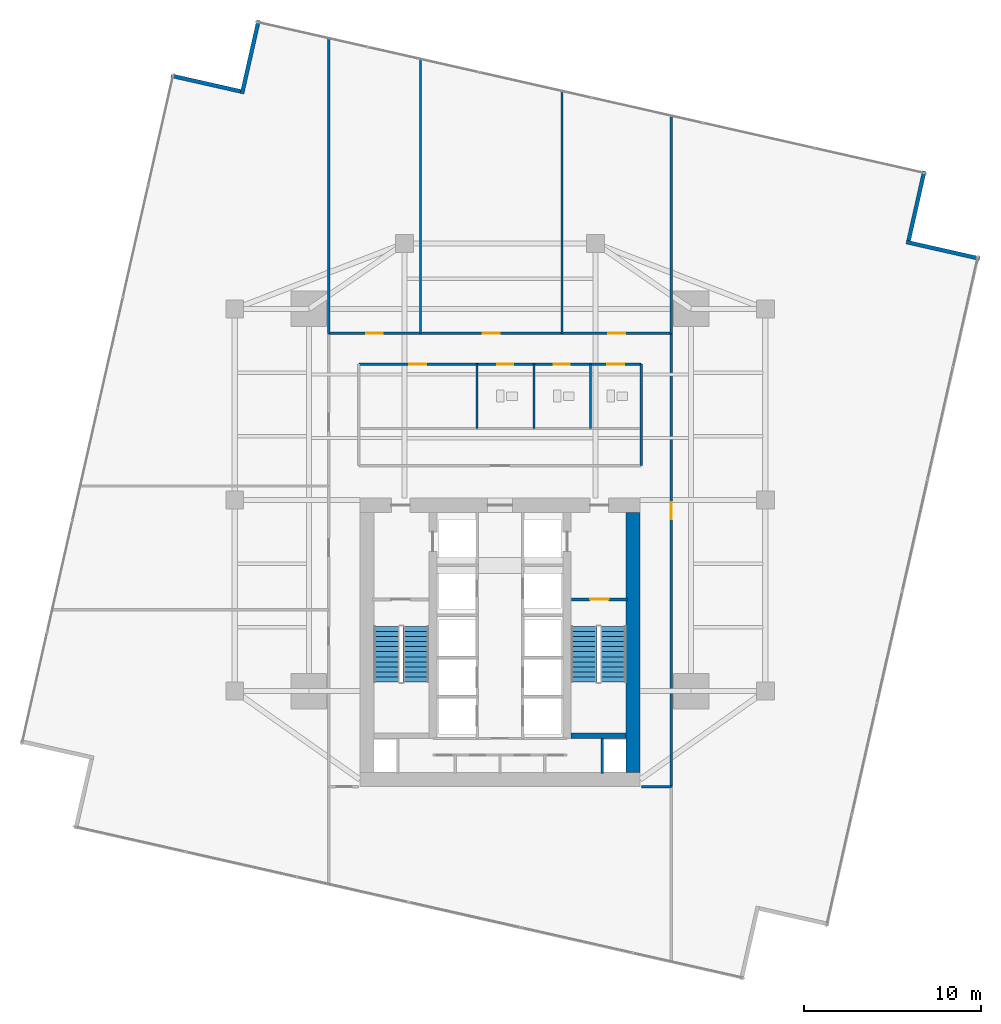
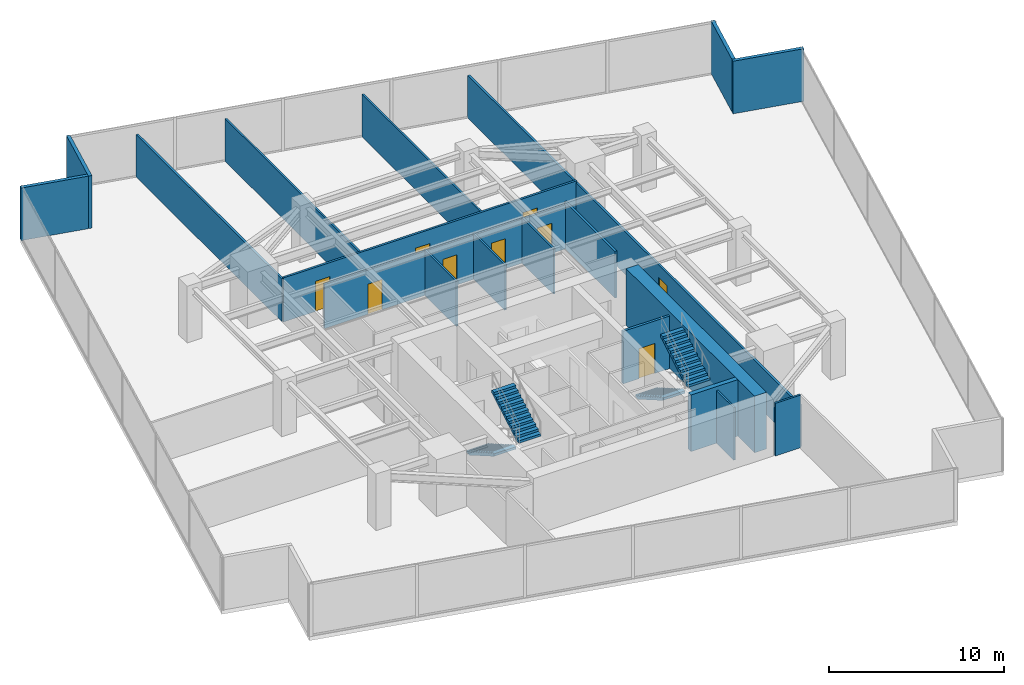
# One storey, part 24 of 26: 20 walls, 9 doors, 4 stair flights, 9 openings, 2 elements without a shape of their own.
"""IFC4 building model written with IfcOpenShell, lengths in metres."""

from ifc_helpers import new_model, si_unit, direction, frame, frame_2d, origin, place, context, subcontext, project, spatial, polyline, rectangle, outline, extrude, material, layer, layer_set, type_object, element, fill, aggregate, save


model = new_model("IFC4")

# Units and contexts
model_context = context("Model", 3, precision=1e-05, world=origin(), true_north=direction((0.0, 1.0)))
body_context = subcontext(model_context, "Body", "Model", "MODEL_VIEW")
ifc_project = project(units=[si_unit("LENGTHUNIT", "METRE"), si_unit("AREAUNIT", "SQUARE_METRE"), si_unit("VOLUMEUNIT", "CUBIC_METRE"), si_unit("PLANEANGLEUNIT", "RADIAN"), si_unit("MASSUNIT", "GRAM", prefix="KILO")], contexts=[model_context])

# Site, building, storey
site_placement = place(None, origin())
site = spatial("IfcSite", under=ifc_project, at=site_placement, CompositionType="ELEMENT")
building_placement = place(site_placement, origin())
building = spatial("IfcBuilding", under=site, at=building_placement, Name="Krantzveldt Concourse Tower", CompositionType="ELEMENT")
storey_placement = place(building_placement, frame((0.0, 0.0, 94.0)))
storey = spatial("IfcBuildingStorey", under=building, at=storey_placement, Name="L22", CompositionType="ELEMENT", Elevation=94.0)

# Walls
ifc_material_1 = material(Name="Anodised aluminium 6063-T6", Category="aluminium")
ifc_layer_1 = layer(ifc_material_1, 0.219970703125, Name="Anodised aluminium 6063-T6", Category="aluminium")
ifc_layer_set_1 = layer_set([ifc_layer_1], Name="Anodised aluminium 6063-T6 (WL-EXT-NOTCH220)")
wall_type_1 = type_object("IfcWallType", Name="WL-EXT-NOTCH220", PredefinedType="ELEMENTEDWALL", material=ifc_layer_set_1)
wall_1_placement = place(storey_placement, frame((21.335693359375, 49.7958984375, 0.0), z_axis=(0.0, 0.0, 1.0), x_axis=(-0.975349272951, 0.2206667074, 0.0)))
element("IfcWall", 1, at=wall_1_placement, inside=storey, type_object=wall_type_1, Name="EW-L22-NCH00", PredefinedType="ELEMENTEDWALL", context=body_context, shape_type="SweptSolid", body=[
    extrude(rectangle(XDim=4.02490234375, YDim=0.219970703125, at=frame_2d((2.012451171875, 0.0))), origin(), (0.0, 0.0, 1.0), 3.669921875),
])
wall_2_placement = place(storey_placement, frame((63.104736328125, 40.344482421875, 0.0), z_axis=(0.0, 0.0, 1.0), x_axis=(-0.975335262593, 0.220728624202, 0.0)))
element("IfcWall", 2, at=wall_2_placement, inside=storey, type_object=wall_type_1, Name="EW-L22-NCH08", PredefinedType="ELEMENTEDWALL", context=body_context, shape_type="SweptSolid", body=[
    extrude(rectangle(XDim=4.2451171875, YDim=0.219970703125, at=frame_2d((2.12255859375, 0.0))), origin(), (0.0, 0.0, 1.0), 3.669921875),
])
wall_3_placement = place(storey_placement, frame((59.095947265625, 41.364501953125, 0.0), z_axis=(0.0, 0.0, 1.0), x_axis=(0.220679762979, 0.975346319115, 0.0)))
element("IfcWall", 3, at=wall_3_placement, inside=storey, type_object=wall_type_1, Name="EW-L22-NCH09", PredefinedType="ELEMENTEDWALL", context=body_context, shape_type="SweptSolid", body=[
    extrude(rectangle(XDim=4.024658203125, YDim=0.219970703125, at=frame_2d((2.01220703125, 0.0))), origin(), (0.0, 0.0, 1.0), 3.669921875),
])
wall_4_placement = place(storey_placement, frame((22.35546875, 53.8046875, 0.0), z_axis=(0.0, 0.0, 1.0), x_axis=(-0.220673913812, -0.975347642517, 0.0)))
element("IfcWall", 4, at=wall_4_placement, inside=storey, type_object=wall_type_1, Name="EW-L22-NCH11", PredefinedType="ELEMENTEDWALL", context=body_context, shape_type="SweptSolid", body=[
    extrude(rectangle(XDim=4.2451171875, YDim=0.219970703125, at=frame_2d((2.12255859375, 0.0))), origin(), (0.0, 0.0, 1.0), 3.669921875),
])
ifc_material_2 = material(Name="Fire-rated gypsum plasterboard on steel stud", Category="steel")
ifc_layer_2 = layer(ifc_material_2, 0.1201171875, Name="Fire-rated gypsum plasterboard on steel stud", Category="steel")
ifc_layer_set_2 = layer_set([ifc_layer_2], Name="Fire-rated gypsum plasterboard on steel stud (WL-PART-120)")
wall_type_2 = type_object("IfcWallType", Name="WL-PART-120", PredefinedType="PARTITIONING", material=ifc_layer_set_2)
for number, where, z_axis, x_axis, name in (
    (5, (37.919921875, 30.739990234375, 0.0), (0.0, 0.0, 1.0), (0.0, 1.0, 0.0), "WP-L22-WCD1"),
    (6, (41.1201171875, 30.739990234375, 0.0), (0.0, 0.0, 1.0), (0.0, 1.0, 0.0), "WP-L22-WCD2"),
    (7, (34.699951171875, 30.739990234375, 0.0), (0.0, 0.0, 1.0), (0.0, 1.0, 0.0), "WP-L22-WCD3"),
):
    element("IfcWall", number, at=place(storey_placement, frame(where, z_axis=z_axis, x_axis=x_axis)), inside=storey, type_object=wall_type_2, Name=name, PredefinedType="PARTITIONING", context=body_context, shape_type="SweptSolid", body=[
        extrude(rectangle(XDim=3.639892578125, YDim=0.1201171875, at=frame_2d((1.81982421875, 0.0))), origin(), (0.0, 0.0, 1.0), 3.169921875),
    ])
wall_5_placement = place(storey_placement, frame((31.5, 36.1201171875, 0.0), z_axis=(0.0, 0.0, 1.0), x_axis=(0.0, 1.0, 0.0)))
element("IfcWall", 8, at=wall_5_placement, inside=storey, type_object=wall_type_2, Name="WP-L22-ND1", PredefinedType="PARTITIONING", context=body_context, shape_type="SweptSolid", body=[
    extrude(rectangle(XDim=15.497314453125, YDim=0.1201171875, at=frame_2d((7.74853515625, 0.0))), origin(), (0.0, 0.0, 1.0), 2.969970703125),
])
wall_6_placement = place(storey_placement, frame((39.5, 36.1201171875, 0.0), z_axis=(0.0, 0.0, 1.0), x_axis=(0.0, 1.0, 0.0)))
element("IfcWall", 9, at=wall_6_placement, inside=storey, type_object=wall_type_2, Name="WP-L22-ND2", PredefinedType="PARTITIONING", context=body_context, shape_type="SweptSolid", body=[
    extrude(rectangle(XDim=13.687255859375, YDim=0.1201171875, at=frame_2d((6.84375, 0.0))), origin(), (0.0, 0.0, 1.0), 2.969970703125),
])

# Wall, openings, doors
ifc_layer_3 = layer(ifc_material_2, 0.139892578125, Name="Fire-rated gypsum plasterboard on steel stud", Category="steel")
ifc_layer_set_3 = layer_set([ifc_layer_3], Name="Fire-rated gypsum plasterboard on steel stud (WL-PART-140)")
wall_type_3 = type_object("IfcWallType", Name="WL-PART-140", PredefinedType="PARTITIONING", material=ifc_layer_set_3)
wall_7_placement = place(storey_placement, frame((28.02001953125, 34.3798828125, 0.0), z_axis=(0.0, 0.0, 1.0), x_axis=(1.0, 0.0, 0.0)))
wall_7 = element("IfcWall", 10, at=wall_7_placement, inside=storey, type_object=wall_type_3, Name="WP-L22-ISLN", PredefinedType="PARTITIONING", context=body_context, shape_type="SweptSolid", body=[
    extrude(rectangle(XDim=15.9599609375, YDim=0.139892578125, at=frame_2d((7.97998046875, 0.0))), origin(), (0.0, 0.0, 1.0), 3.080078125),
])
opening_1_placement = place(wall_7_placement, frame((7.830078125, 0.0, 0.0)))
opening_1 = element("IfcOpeningElement", 11, at=opening_1_placement, cuts=wall_7, Name="Opening D-IN090", PredefinedType="OPENING", context=body_context, shape_type="SweptSolid", body=[
    extrude(rectangle(XDim=0.89990234375, YDim=2.10009765625, at=frame_2d((0.449951171875, 1.050048828125))), frame((0.0, 0.080078125, 0.0), z_axis=(0.0, -1.0, 0.0), x_axis=(1.0, 0.0, 0.0)), (0.0, 0.0, 1.0), 0.159912109375),
])
opening_2_placement = place(wall_7_placement, frame((11.030029296875, 0.0, 0.0)))
opening_2 = element("IfcOpeningElement", 12, at=opening_2_placement, cuts=wall_7, Name="Opening D-IN090", PredefinedType="OPENING", context=body_context, shape_type="SweptSolid", body=[
    extrude(rectangle(XDim=0.89990234375, YDim=2.10009765625, at=frame_2d((0.449951171875, 1.050048828125))), frame((0.0, 0.080078125, 0.0), z_axis=(0.0, -1.0, 0.0), x_axis=(1.0, 0.0, 0.0)), (0.0, 0.0, 1.0), 0.159912109375),
])
opening_3_placement = place(wall_7_placement, frame((14.054931640625, 0.0, 0.0)))
opening_3 = element("IfcOpeningElement", 13, at=opening_3_placement, cuts=wall_7, Name="Opening D-IN095", PredefinedType="OPENING", context=body_context, shape_type="SweptSolid", body=[
    extrude(rectangle(XDim=0.949951171875, YDim=2.10009765625, at=frame_2d((0.47509765625, 1.050048828125))), frame((0.0, 0.080078125, 0.0), z_axis=(0.0, -1.0, 0.0), x_axis=(1.0, 0.0, 0.0)), (0.0, 0.0, 1.0), 0.159912109375),
])
opening_4_placement = place(wall_7_placement, frame((2.85498046875, 0.0, 0.0)))
opening_4 = element("IfcOpeningElement", 14, at=opening_4_placement, cuts=wall_7, Name="Opening D-IN095", PredefinedType="OPENING", context=body_context, shape_type="SweptSolid", body=[
    extrude(rectangle(XDim=0.949951171875, YDim=2.10009765625, at=frame_2d((0.47509765625, 1.050048828125))), frame((0.0, 0.080078125, 0.0), z_axis=(0.0, -1.0, 0.0), x_axis=(1.0, 0.0, 0.0)), (0.0, 0.0, 1.0), 0.159912109375),
])
ifc_material_3 = material(Name="Hardwood timber", Category="wood")
door_type_1 = type_object("IfcDoorType", Name="DR-INT-900", OperationType="SINGLE_SWING_LEFT", PredefinedType="DOOR", material=ifc_material_3)
door_1_placement = place(opening_1_placement, origin())
door_1 = element("IfcDoor", 15, at=door_1_placement, inside=storey, type_object=door_type_1, Name="DR-L22-WCM", OperationType="SINGLE_SWING_LEFT", OverallHeight=2.10009765625, OverallWidth=0.89990234375, PredefinedType="DOOR", context=body_context, shape_type="SweptSolid", body=[
    extrude(rectangle(XDim=0.89990234375, YDim=2.10009765625, at=frame_2d((0.449951171875, 1.050048828125))), frame((0.0, 0.02490234375, 0.0), z_axis=(0.0, -1.0, 0.0), x_axis=(1.0, 0.0, 0.0)), (0.0, 0.0, 1.0), 0.050048828125),
])
fill(opening_1, door_1)
door_2_placement = place(opening_2_placement, origin())
door_2 = element("IfcDoor", 16, at=door_2_placement, inside=storey, type_object=door_type_1, Name="DR-L22-WCF", OperationType="SINGLE_SWING_RIGHT", OverallHeight=2.10009765625, OverallWidth=0.89990234375, PredefinedType="DOOR", context=body_context, shape_type="SweptSolid", body=[
    extrude(rectangle(XDim=0.89990234375, YDim=2.10009765625, at=frame_2d((0.449951171875, 1.050048828125))), frame((0.0, 0.02490234375, 0.0), z_axis=(0.0, -1.0, 0.0), x_axis=(1.0, 0.0, 0.0)), (0.0, 0.0, 1.0), 0.050048828125),
])
fill(opening_2, door_2)
door_type_2 = type_object("IfcDoorType", Name="DR-INT-950", OperationType="SINGLE_SWING_LEFT", PredefinedType="DOOR", material=ifc_material_3)
door_3_placement = place(opening_3_placement, origin())
door_3 = element("IfcDoor", 17, at=door_3_placement, inside=storey, type_object=door_type_2, Name="DR-L22-WCA", OperationType="SINGLE_SWING_LEFT", OverallHeight=2.10009765625, OverallWidth=0.949951171875, PredefinedType="DOOR", context=body_context, shape_type="SweptSolid", body=[
    extrude(rectangle(XDim=0.949951171875, YDim=2.10009765625, at=frame_2d((0.47509765625, 1.050048828125))), frame((0.0, 0.02490234375, 0.0), z_axis=(0.0, -1.0, 0.0), x_axis=(1.0, 0.0, 0.0)), (0.0, 0.0, 1.0), 0.050048828125),
])
fill(opening_3, door_3)
door_4_placement = place(opening_4_placement, origin())
door_4 = element("IfcDoor", 18, at=door_4_placement, inside=storey, type_object=door_type_2, Name="DR-L22-PNT", OperationType="SINGLE_SWING_RIGHT", OverallHeight=2.10009765625, OverallWidth=0.949951171875, PredefinedType="DOOR", context=body_context, shape_type="SweptSolid", body=[
    extrude(rectangle(XDim=0.949951171875, YDim=2.10009765625, at=frame_2d((0.47509765625, 1.050048828125))), frame((0.0, 0.02490234375, 0.0), z_axis=(0.0, -1.0, 0.0), x_axis=(1.0, 0.0, 0.0)), (0.0, 0.0, 1.0), 0.050048828125),
])
fill(opening_4, door_4)

# Wall
wall_8_placement = place(storey_placement, frame((43.97998046875, 28.639892578125, 0.0), z_axis=(0.0, 0.0, 1.0), x_axis=(0.0, 1.0, 0.0)))
element("IfcWall", 19, at=wall_8_placement, inside=storey, type_object=wall_type_3, Name="WP-L22-ISLE", PredefinedType="PARTITIONING", context=body_context, shape_type="SweptSolid", body=[
    extrude(rectangle(XDim=5.739990234375, YDim=0.139892578125, at=frame_2d((2.8701171875, 0.0))), origin(), (0.0, 0.0, 1.0), 3.27001953125),
])

# Wall, openings, doors
wall_9_placement = place(storey_placement, frame((26.320068359375, 36.1201171875, 0.0), z_axis=(0.0, 0.0, 1.0), x_axis=(1.0, 0.0, 0.0)))
wall_9 = element("IfcWall", 20, at=wall_9_placement, inside=storey, type_object=wall_type_3, Name="WP-L22-CTOP", PredefinedType="PARTITIONING", context=body_context, shape_type="SweptSolid", body=[
    extrude(rectangle(XDim=19.35986328125, YDim=0.139892578125, at=frame_2d((9.679931640625, 0.0))), origin(), (0.0, 0.0, 1.0), 3.080078125),
])
opening_5_placement = place(wall_9_placement, frame((2.114990234375, 0.0, 0.0)))
opening_5 = element("IfcOpeningElement", 21, at=opening_5_placement, cuts=wall_9, Name="Opening D-IN095", PredefinedType="OPENING", context=body_context, shape_type="SweptSolid", body=[
    extrude(rectangle(XDim=0.949951171875, YDim=2.10009765625, at=frame_2d((0.47509765625, 1.050048828125))), frame((0.0, 0.080078125, 0.0), z_axis=(0.0, -1.0, 0.0), x_axis=(1.0, 0.0, 0.0)), (0.0, 0.0, 1.0), 0.159912109375),
])
opening_6_placement = place(wall_9_placement, frame((8.705078125, 0.0, 0.0)))
opening_6 = element("IfcOpeningElement", 22, at=opening_6_placement, cuts=wall_9, Name="Opening D-IN095", PredefinedType="OPENING", context=body_context, shape_type="SweptSolid", body=[
    extrude(rectangle(XDim=0.949951171875, YDim=2.10009765625, at=frame_2d((0.47509765625, 1.050048828125))), frame((0.0, 0.080078125, 0.0), z_axis=(0.0, -1.0, 0.0), x_axis=(1.0, 0.0, 0.0)), (0.0, 0.0, 1.0), 0.159912109375),
])
opening_7_placement = place(wall_9_placement, frame((15.794921875, 0.0, 0.0)))
opening_7 = element("IfcOpeningElement", 23, at=opening_7_placement, cuts=wall_9, Name="Opening D-IN095", PredefinedType="OPENING", context=body_context, shape_type="SweptSolid", body=[
    extrude(rectangle(XDim=0.949951171875, YDim=2.10009765625, at=frame_2d((0.47509765625, 1.050048828125))), frame((0.0, 0.080078125, 0.0), z_axis=(0.0, -1.0, 0.0), x_axis=(1.0, 0.0, 0.0)), (0.0, 0.0, 1.0), 0.159912109375),
])
door_5_placement = place(opening_5_placement, origin())
door_5 = element("IfcDoor", 24, at=door_5_placement, inside=storey, type_object=door_type_2, Name="DR-L22-NR1", OperationType="SINGLE_SWING_LEFT", OverallHeight=2.10009765625, OverallWidth=0.949951171875, PredefinedType="DOOR", context=body_context, shape_type="SweptSolid", body=[
    extrude(rectangle(XDim=0.949951171875, YDim=2.10009765625, at=frame_2d((0.47509765625, 1.050048828125))), frame((0.0, 0.02490234375, 0.0), z_axis=(0.0, -1.0, 0.0), x_axis=(1.0, 0.0, 0.0)), (0.0, 0.0, 1.0), 0.050048828125),
])
fill(opening_5, door_5)
door_6_placement = place(opening_6_placement, origin())
door_6 = element("IfcDoor", 25, at=door_6_placement, inside=storey, type_object=door_type_2, Name="DR-L22-NR2", OperationType="SINGLE_SWING_LEFT", OverallHeight=2.10009765625, OverallWidth=0.949951171875, PredefinedType="DOOR", context=body_context, shape_type="SweptSolid", body=[
    extrude(rectangle(XDim=0.949951171875, YDim=2.10009765625, at=frame_2d((0.47509765625, 1.050048828125))), frame((0.0, 0.02490234375, 0.0), z_axis=(0.0, -1.0, 0.0), x_axis=(1.0, 0.0, 0.0)), (0.0, 0.0, 1.0), 0.050048828125),
])
fill(opening_6, door_6)
door_7_placement = place(opening_7_placement, origin())
door_7 = element("IfcDoor", 26, at=door_7_placement, inside=storey, type_object=door_type_2, Name="DR-L22-NR3", OperationType="SINGLE_SWING_LEFT", OverallHeight=2.10009765625, OverallWidth=0.949951171875, PredefinedType="DOOR", context=body_context, shape_type="SweptSolid", body=[
    extrude(rectangle(XDim=0.949951171875, YDim=2.10009765625, at=frame_2d((0.47509765625, 1.050048828125))), frame((0.0, 0.02490234375, 0.0), z_axis=(0.0, -1.0, 0.0), x_axis=(1.0, 0.0, 0.0)), (0.0, 0.0, 1.0), 0.050048828125),
])
fill(opening_7, door_7)

# Wall, opening, door
wall_10_placement = place(storey_placement, frame((45.679931640625, 10.5, 0.0), z_axis=(0.0, 0.0, 1.0), x_axis=(0.0, 1.0, 0.0)))
wall_10 = element("IfcWall", 27, at=wall_10_placement, inside=storey, type_object=wall_type_3, Name="WP-L22-CEAST", PredefinedType="PARTITIONING", context=body_context, shape_type="SweptSolid", body=[
    extrude(rectangle(XDim=25.6201171875, YDim=0.139892578125, at=frame_2d((12.81005859375, 0.0))), origin(), (0.0, 0.0, 1.0), 2.969970703125),
])
opening_8_placement = place(wall_10_placement, frame((15.125, 0.0, 0.0)))
opening_8 = element("IfcOpeningElement", 28, at=opening_8_placement, cuts=wall_10, Name="Opening D-IN095", PredefinedType="OPENING", context=body_context, shape_type="SweptSolid", body=[
    extrude(rectangle(XDim=0.949951171875, YDim=2.10009765625, at=frame_2d((0.47509765625, 1.050048828125))), frame((0.0, 0.080078125, 0.0), z_axis=(0.0, -1.0, 0.0), x_axis=(1.0, 0.0, 0.0)), (0.0, 0.0, 1.0), 0.159912109375),
])
door_8_placement = place(opening_8_placement, origin())
door_8 = element("IfcDoor", 29, at=door_8_placement, inside=storey, type_object=door_type_2, Name="DR-L22-ER1", OperationType="SINGLE_SWING_LEFT", OverallHeight=2.10009765625, OverallWidth=0.949951171875, PredefinedType="DOOR", context=body_context, shape_type="SweptSolid", body=[
    extrude(rectangle(XDim=0.949951171875, YDim=2.10009765625, at=frame_2d((0.47509765625, 1.050048828125))), frame((0.0, 0.02490234375, 0.0), z_axis=(0.0, -1.0, 0.0), x_axis=(1.0, 0.0, 0.0)), (0.0, 0.0, 1.0), 0.050048828125),
])
fill(opening_8, door_8)

# Walls
wall_11_placement = place(storey_placement, frame((44.0, 10.5, 0.0), z_axis=(0.0, 0.0, 1.0), x_axis=(1.0, 0.0, 0.0)))
element("IfcWall", 30, at=wall_11_placement, inside=storey, type_object=wall_type_3, Name="WP-L22-CEBOT", PredefinedType="PARTITIONING", context=body_context, shape_type="SweptSolid", body=[
    extrude(rectangle(XDim=1.679931640625, YDim=0.139892578125, at=frame_2d((0.83984375, 0.0))), origin(), (0.0, 0.0, 1.0), 3.669921875),
])
wall_12_placement = place(storey_placement, frame((26.320068359375, 36.1201171875, 0.0), z_axis=(0.0, 0.0, 1.0), x_axis=(0.0, 1.0, 0.0)))
element("IfcWall", 31, at=wall_12_placement, inside=storey, type_object=wall_type_3, Name="WP-L22-NWL", PredefinedType="PARTITIONING", context=body_context, shape_type="SweptSolid", body=[
    extrude(rectangle(XDim=16.669677734375, YDim=0.139892578125, at=frame_2d((8.3349609375, 0.0))), origin(), (0.0, 0.0, 1.0), 2.969970703125),
])
wall_13_placement = place(storey_placement, frame((45.679931640625, 36.1201171875, 0.0), z_axis=(0.0, 0.0, 1.0), x_axis=(0.0, 1.0, 0.0)))
element("IfcWall", 32, at=wall_13_placement, inside=storey, type_object=wall_type_3, Name="WP-L22-NER", PredefinedType="PARTITIONING", context=body_context, shape_type="SweptSolid", body=[
    extrude(rectangle(XDim=12.288818359375, YDim=0.139892578125, at=frame_2d((6.14453125, 0.0))), origin(), (0.0, 0.0, 1.0), 2.969970703125),
])
ifc_layer_4 = layer(ifc_material_2, 0.139892578125, Name="Fire-rated gypsum plasterboard on steel stud", Category="steel")
ifc_layer_set_4 = layer_set([ifc_layer_4], Name="Fire-rated gypsum plasterboard on steel stud (WL-PART-FR140)")
wall_type_4 = type_object("IfcWallType", Name="WL-PART-FR140", PredefinedType="PARTITIONING", material=ifc_layer_set_4)
wall_14_placement = place(storey_placement, frame((41.780029296875, 11.25, 0.0), z_axis=(0.0, 0.0, 1.0), x_axis=(0.0, 1.0, 0.0)))
element("IfcWall", 33, at=wall_14_placement, inside=storey, type_object=wall_type_4, Name="WP-L22-RSE", PredefinedType="PARTITIONING", context=body_context, shape_type="SweptSolid", body=[
    extrude(rectangle(XDim=1.969970703125, YDim=0.1201171875, at=frame_2d((0.98486328125, 0.0))), origin(), (0.0, 0.0, 1.0), 3.669921875),
])

# Wall, opening, door
ifc_layer_5 = layer(ifc_material_2, 0.159912109375, Name="Fire-rated gypsum plasterboard on steel stud", Category="steel")
ifc_layer_set_5 = layer_set([ifc_layer_5], Name="Fire-rated gypsum plasterboard on steel stud (WL-PART-FR160)")
wall_type_5 = type_object("IfcWallType", Name="WL-PART-FR160", PredefinedType="PARTITIONING", material=ifc_layer_set_5)
wall_15_placement = place(storey_placement, frame((40.0400390625, 21.080078125, 0.0), z_axis=(0.0, 0.0, 1.0), x_axis=(1.0, 0.0, 0.0)))
wall_15 = element("IfcWall", 34, at=wall_15_placement, inside=storey, type_object=wall_type_5, Name="WP-L22-ST2", PredefinedType="PARTITIONING", context=body_context, shape_type="SweptSolid", body=[
    extrude(rectangle(XDim=3.159912109375, YDim=0.159912109375, at=frame_2d((1.580078125, 0.0))), origin(), (0.0, 0.0, 1.0), 3.669921875),
])
opening_9_placement = place(wall_15_placement, frame((1.054931640625, 0.0, 0.0)))
opening_9 = element("IfcOpeningElement", 35, at=opening_9_placement, cuts=wall_15, Name="Opening D-FD105", PredefinedType="OPENING", context=body_context, shape_type="SweptSolid", body=[
    extrude(rectangle(XDim=1.050048828125, YDim=2.10009765625, at=frame_2d((0.52490234375, 1.050048828125))), frame((0.0, 0.08984375, 0.0), z_axis=(0.0, -1.0, 0.0), x_axis=(1.0, 0.0, 0.0)), (0.0, 0.0, 1.0), 0.179931640625),
])
ifc_material_4 = material(Name="Galvanised steel", Category="steel")
door_type_3 = type_object("IfcDoorType", Name="DR-FD120-1050", OperationType="SINGLE_SWING_LEFT", PredefinedType="DOOR", material=ifc_material_4)
door_9_placement = place(opening_9_placement, origin())
door_9 = element("IfcDoor", 36, at=door_9_placement, inside=storey, type_object=door_type_3, Name="DR-L22-ST2", OperationType="SINGLE_SWING_LEFT", OverallHeight=2.10009765625, OverallWidth=1.050048828125, PredefinedType="DOOR", context=body_context, shape_type="SweptSolid", body=[
    extrude(rectangle(XDim=1.050048828125, YDim=2.10009765625, at=frame_2d((0.52490234375, 1.050048828125))), frame((0.0, 0.02490234375, 0.0), z_axis=(0.0, -1.0, 0.0), x_axis=(1.0, 0.0, 0.0)), (0.0, 0.0, 1.0), 0.050048828125),
])
fill(opening_9, door_9)

# Walls
ifc_material_5 = material(Name="Concrete C50/60", Category="concrete")
ifc_layer_6 = layer(ifc_material_5, 0.300048828125, Name="Concrete C50/60", Category="concrete")
ifc_layer_set_6 = layer_set([ifc_layer_6], Name="Concrete C50/60 (WL-SHEAR-300)")
wall_type_6 = type_object("IfcWallType", Name="WL-SHEAR-300", PredefinedType="SHEAR", material=ifc_layer_set_6)
wall_16_placement = place(storey_placement, frame((40.02001953125, 13.3701171875, 0.0), z_axis=(0.0, 0.0, 1.0), x_axis=(1.0, 0.0, 0.0)))
element("IfcWall", 37, at=wall_16_placement, inside=storey, type_object=wall_type_6, Name="CW-L22-ST2S", PredefinedType="SHEAR", context=body_context, shape_type="SweptSolid", body=[
    extrude(rectangle(XDim=3.10009765625, YDim=0.300048828125, at=frame_2d((1.550048828125, 0.0))), origin(), (0.0, 0.0, 1.0), 3.949951171875),
])
ifc_material_6 = material(Name="Concrete C60/75", Category="concrete")
ifc_layer_7 = layer(ifc_material_6, 0.800048828125, Name="Concrete C60/75", Category="concrete")
ifc_layer_set_7 = layer_set([ifc_layer_7], Name="Concrete C60/75 (WL-SHEAR-800)")
wall_type_7 = type_object("IfcWallType", Name="WL-SHEAR-800", PredefinedType="SHEAR", material=ifc_layer_set_7)
wall_17_placement = place(storey_placement, frame((43.52001953125, 11.300048828125, 0.0), z_axis=(0.0, 0.0, 1.0), x_axis=(0.0, 1.0, 0.0)))
element("IfcWall", 38, at=wall_17_placement, inside=storey, type_object=wall_type_7, Name="CW-L22-E", PredefinedType="SHEAR", context=body_context, shape_type="SweptSolid", body=[
    extrude(rectangle(XDim=14.699951171875, YDim=0.800048828125, at=frame_2d((7.35009765625, 0.0))), origin(), (0.0, 0.0, 1.0), 3.949951171875),
])

# Stair, stair flights
ifc_material_7 = material(Name="Precast concrete C40/50", Category="concrete")
stair_type = type_object("IfcStairType", Name="STR-CORE-DOGLEG", PredefinedType="HALF_TURN_STAIR", material=ifc_material_7)
stair_1_placement = place(storey_placement, origin())
stair_1 = element("IfcStair", 39, at=stair_1_placement, inside=storey, type_object=stair_type, Name="L22 Protected Escape Stair ST-1", PredefinedType="HALF_TURN_STAIR")
stair_flight_type = type_object("IfcStairFlightType", Name="STF-CORE-1450", PredefinedType="STRAIGHT", material=ifc_material_7)
stair_flight_1_placement = place(storey_placement, frame((29.60498046875, 19.550048828125, 0.0), z_axis=(0.0, 0.0, 1.0), x_axis=(0.0, -1.0, 0.0)))
stair_flight_1 = element("IfcStairFlight", 40, at=stair_flight_1_placement, type_object=stair_flight_type, Name="ST-1 flight 1", NumberOfRisers=12, NumberOfTreads=11, PredefinedType="STRAIGHT", RiserHeight=0.164583333, TreadLength=0.285, context=body_context, shape_type="SweptSolid", body=[
    extrude(outline(polyline([(0.0, 0.0), (0.0, 0.16455078125), (0.284912109375, 0.16455078125), (0.284912109375, 0.3291015625), (0.570068359375, 0.3291015625), (0.570068359375, 0.49365234375), (0.85498046875, 0.49365234375), (0.85498046875, 0.658447265625), (1.139892578125, 0.658447265625), (1.139892578125, 0.822998046875), (1.425048828125, 0.822998046875), (1.425048828125, 0.987548828125), (1.7099609375, 0.987548828125), (1.7099609375, 1.152099609375), (1.9951171875, 1.152099609375), (1.9951171875, 1.316650390625), (2.280029296875, 1.316650390625), (2.280029296875, 1.481201171875), (2.56494140625, 1.481201171875), (2.56494140625, 1.645751953125), (2.85009765625, 1.645751953125), (2.85009765625, 1.810302734375), (3.135009765625, 1.810302734375), (3.135009765625, 1.97509765625), (3.135009765625, 1.63720703125), (0.2998046875, 0.0), (0.0, 0.0)])), frame((0.0, 0.72509765625, 0.0), z_axis=(0.0, -1.0, 0.0), x_axis=(1.0, 0.0, 0.0)), (0.0, 0.0, 1.0), 1.449951171875),
])
stair_flight_2_placement = place(storey_placement, frame((31.2548828125, 16.4150390625, 1.97509765625), z_axis=(0.0, 0.0, 1.0), x_axis=(0.0, 1.0, 0.0)))
stair_flight_2 = element("IfcStairFlight", 41, at=stair_flight_2_placement, type_object=stair_flight_type, Name="ST-1 flight 2", NumberOfRisers=12, NumberOfTreads=11, PredefinedType="STRAIGHT", RiserHeight=0.164583333, TreadLength=0.285, context=body_context, shape_type="SweptSolid", body=[
    extrude(outline(polyline([(0.0, 0.0), (0.0, 0.16455078125), (0.284912109375, 0.16455078125), (0.284912109375, 0.3291015625), (0.570068359375, 0.3291015625), (0.570068359375, 0.49365234375), (0.85498046875, 0.49365234375), (0.85498046875, 0.658447265625), (1.139892578125, 0.658447265625), (1.139892578125, 0.822998046875), (1.425048828125, 0.822998046875), (1.425048828125, 0.987548828125), (1.7099609375, 0.987548828125), (1.7099609375, 1.152099609375), (1.9951171875, 1.152099609375), (1.9951171875, 1.316650390625), (2.280029296875, 1.316650390625), (2.280029296875, 1.481201171875), (2.56494140625, 1.481201171875), (2.56494140625, 1.645751953125), (2.85009765625, 1.645751953125), (2.85009765625, 1.810302734375), (3.135009765625, 1.810302734375), (3.135009765625, 1.97509765625), (3.135009765625, 1.63720703125), (0.2998046875, 0.0), (0.0, 0.0)])), frame((0.0, 0.72509765625, 0.0), z_axis=(0.0, -1.0, 0.0), x_axis=(1.0, 0.0, 0.0)), (0.0, 0.0, 1.0), 1.449951171875),
])
aggregate(stair_1, [stair_flight_1, stair_flight_2])

stair_2_placement = place(storey_placement, origin())
stair_2 = element("IfcStair", 42, at=stair_2_placement, inside=storey, type_object=stair_type, Name="L22 Protected Escape Stair ST-2", PredefinedType="HALF_TURN_STAIR")
stair_flight_3_placement = place(storey_placement, frame((40.7451171875, 19.550048828125, 0.0), z_axis=(0.0, 0.0, 1.0), x_axis=(0.0, -1.0, 0.0)))
stair_flight_3 = element("IfcStairFlight", 43, at=stair_flight_3_placement, type_object=stair_flight_type, Name="ST-2 flight 1", NumberOfRisers=12, NumberOfTreads=11, PredefinedType="STRAIGHT", RiserHeight=0.164583333, TreadLength=0.285, context=body_context, shape_type="SweptSolid", body=[
    extrude(outline(polyline([(0.0, 0.0), (0.0, 0.16455078125), (0.284912109375, 0.16455078125), (0.284912109375, 0.3291015625), (0.570068359375, 0.3291015625), (0.570068359375, 0.49365234375), (0.85498046875, 0.49365234375), (0.85498046875, 0.658447265625), (1.139892578125, 0.658447265625), (1.139892578125, 0.822998046875), (1.425048828125, 0.822998046875), (1.425048828125, 0.987548828125), (1.7099609375, 0.987548828125), (1.7099609375, 1.152099609375), (1.9951171875, 1.152099609375), (1.9951171875, 1.316650390625), (2.280029296875, 1.316650390625), (2.280029296875, 1.481201171875), (2.56494140625, 1.481201171875), (2.56494140625, 1.645751953125), (2.85009765625, 1.645751953125), (2.85009765625, 1.810302734375), (3.135009765625, 1.810302734375), (3.135009765625, 1.97509765625), (3.135009765625, 1.63720703125), (0.2998046875, 0.0), (0.0, 0.0)])), frame((0.0, 0.72509765625, 0.0), z_axis=(0.0, -1.0, 0.0), x_axis=(1.0, 0.0, 0.0)), (0.0, 0.0, 1.0), 1.449951171875),
])
stair_flight_4_placement = place(storey_placement, frame((42.39501953125, 16.4150390625, 1.97509765625), z_axis=(0.0, 0.0, 1.0), x_axis=(0.0, 1.0, 0.0)))
stair_flight_4 = element("IfcStairFlight", 44, at=stair_flight_4_placement, type_object=stair_flight_type, Name="ST-2 flight 2", NumberOfRisers=12, NumberOfTreads=11, PredefinedType="STRAIGHT", RiserHeight=0.164583333, TreadLength=0.285, context=body_context, shape_type="SweptSolid", body=[
    extrude(outline(polyline([(0.0, 0.0), (0.0, 0.16455078125), (0.284912109375, 0.16455078125), (0.284912109375, 0.3291015625), (0.570068359375, 0.3291015625), (0.570068359375, 0.49365234375), (0.85498046875, 0.49365234375), (0.85498046875, 0.658447265625), (1.139892578125, 0.658447265625), (1.139892578125, 0.822998046875), (1.425048828125, 0.822998046875), (1.425048828125, 0.987548828125), (1.7099609375, 0.987548828125), (1.7099609375, 1.152099609375), (1.9951171875, 1.152099609375), (1.9951171875, 1.316650390625), (2.280029296875, 1.316650390625), (2.280029296875, 1.481201171875), (2.56494140625, 1.481201171875), (2.56494140625, 1.645751953125), (2.85009765625, 1.645751953125), (2.85009765625, 1.810302734375), (3.135009765625, 1.810302734375), (3.135009765625, 1.97509765625), (3.135009765625, 1.63720703125), (0.2998046875, 0.0), (0.0, 0.0)])), frame((0.0, 0.72509765625, 0.0), z_axis=(0.0, -1.0, 0.0), x_axis=(1.0, 0.0, 0.0)), (0.0, 0.0, 1.0), 1.449951171875),
])
aggregate(stair_2, [stair_flight_3, stair_flight_4])

save(model, "model.ifc")
